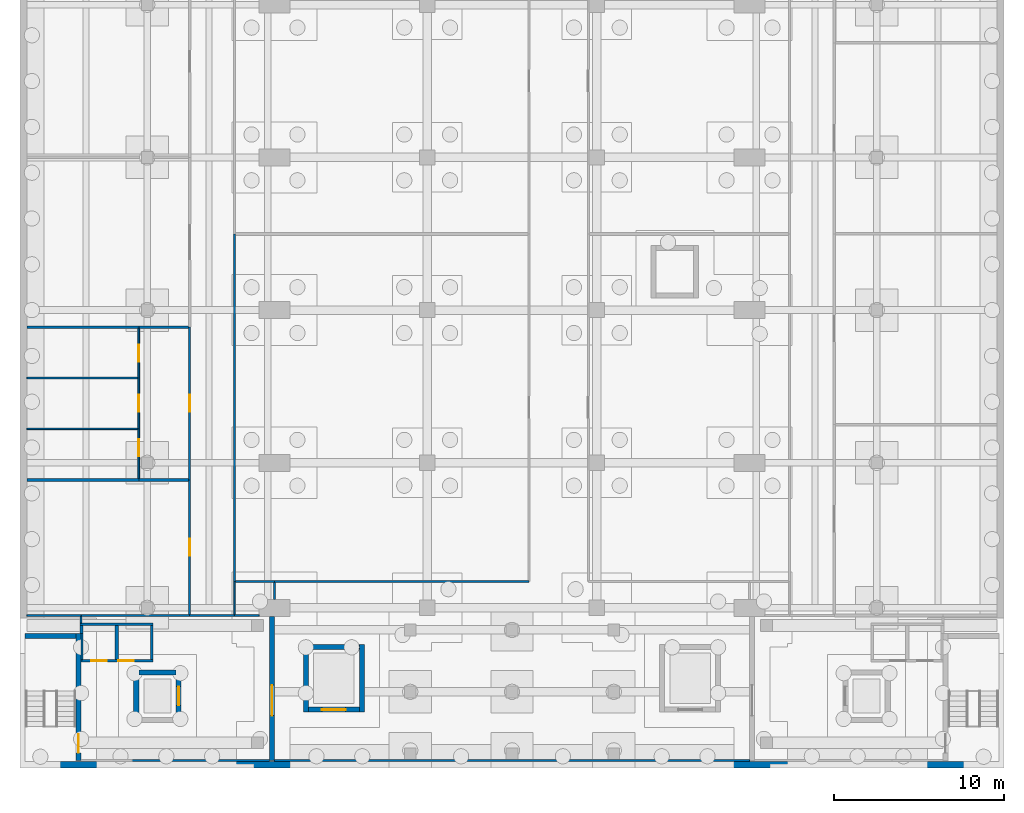
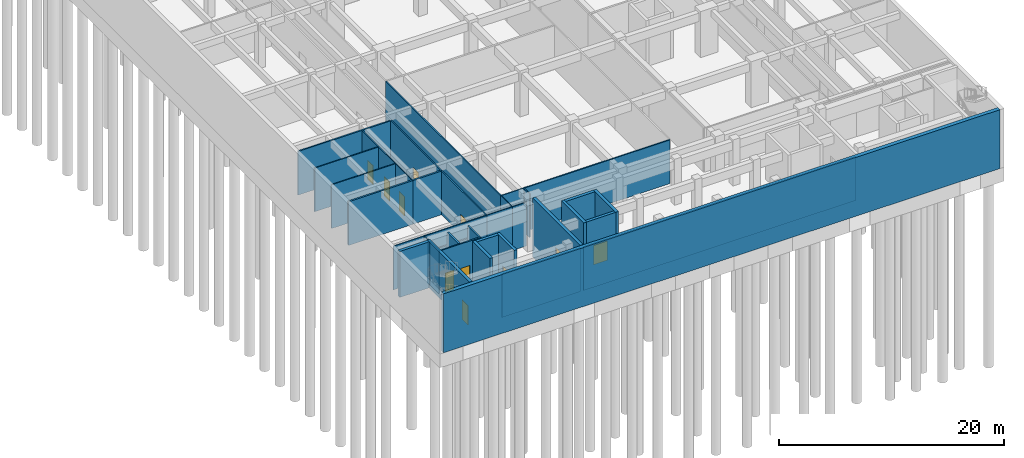
# One storey, part 8 of 19: 40 walls, 11 doors, 11 openings.
"""IFC4 building model written with IfcOpenShell, lengths in metres."""

from ifc_helpers import new_model, si_unit, direction, frame, frame_2d, origin, place, context, subcontext, project, spatial, rectangle, extrude, material, layer, layer_set, type_object, element, fill, save


model = new_model("IFC4")

# Units and contexts
model_context = context("Model", 3, precision=1e-05, world=origin(), true_north=direction((0.0, 1.0)))
body_context = subcontext(model_context, "Body", "Model", "MODEL_VIEW")
ifc_project = project(units=[si_unit("LENGTHUNIT", "METRE"), si_unit("AREAUNIT", "SQUARE_METRE"), si_unit("VOLUMEUNIT", "CUBIC_METRE"), si_unit("PLANEANGLEUNIT", "RADIAN"), si_unit("MASSUNIT", "GRAM", prefix="KILO")], contexts=[model_context])

# Site, building, storey
site_placement = place(None, origin())
site = spatial("IfcSite", under=ifc_project, at=site_placement, CompositionType="ELEMENT")
building_placement = place(site_placement, origin())
building = spatial("IfcBuilding", under=site, at=building_placement, Name="Elmora Arch Market Hall", CompositionType="ELEMENT")
storey_placement = place(building_placement, frame((0.0, 0.0, -10.0)))
storey = spatial("IfcBuildingStorey", under=building, at=storey_placement, Name="B1", CompositionType="ELEMENT", Elevation=-10.0)

# Walls
ifc_material_1 = material(Name="Concrete C40/50", Category="concrete")
ifc_layer_1 = layer(ifc_material_1, 0.39990234375)
ifc_layer_set_1 = layer_set([ifc_layer_1], Name="Concrete C40/50")
wall_type_1 = type_object("IfcWallType", Name="Basement wall 400", PredefinedType="SOLIDWALL", material=ifc_layer_set_1)
wall_1_placement = place(storey_placement, frame((0.39990234375, 18.199951171875, -1.39990234375), z_axis=(0.0, 0.0, 1.0), x_axis=(1.0, 0.0, 0.0)))
element("IfcWall", 1, at=wall_1_placement, inside=storey, type_object=wall_type_1, Name="Basement wall S B1", PredefinedType="SOLIDWALL", context=body_context, shape_type="SweptSolid", body=[
    extrude(rectangle(XDim=57.2001953125, YDim=0.39990234375, at=frame_2d((28.60009765625, 0.0))), origin(), (0.0, 0.0, 1.0), 6.39990234375),
])
ifc_material_2 = material(Name="Blockwork", Category="masonry")
ifc_layer_2 = layer(ifc_material_2, 0.10009765625)
ifc_layer_set_2 = layer_set([ifc_layer_2], Name="Blockwork")
wall_type_2 = type_object("IfcWallType", Name="Blockwork partition 100 EI 120", PredefinedType="PARTITIONING", material=ifc_layer_set_2)
wall_2_placement = place(storey_placement, frame((3.64990234375, 24.39990234375, 0.0), z_axis=(0.0, 0.0, 1.0), x_axis=(0.0, 1.0, 0.0)))
element("IfcWall", 2, at=wall_2_placement, inside=storey, type_object=wall_type_2, Name="Riser wall B1 04", PredefinedType="PARTITIONING", context=body_context, shape_type="SweptSolid", body=[
    extrude(rectangle(XDim=1.550048828125, YDim=0.10009765625, at=frame_2d((0.77490234375, 0.0))), origin(), (0.0, 0.0, 1.0), 4.75),
])
ifc_material_3 = material(Name="Blockwork", Category="masonry")
ifc_layer_3 = layer(ifc_material_3, 0.14990234375)
ifc_layer_set_3 = layer_set([ifc_layer_3], Name="Blockwork")
wall_type_3 = type_object("IfcWallType", Name="Blockwork partition 150 EI 120", PredefinedType="PARTITIONING", material=ifc_layer_set_3)
wall_3_placement = place(storey_placement, frame((3.625, 25.949951171875, 0.0), z_axis=(0.0, 0.0, 1.0), x_axis=(0.0, 1.0, 0.0)))
element("IfcWall", 3, at=wall_3_placement, inside=storey, type_object=wall_type_3, Name="Riser wall B1 01", PredefinedType="PARTITIONING", context=body_context, shape_type="SweptSolid", body=[
    extrude(rectangle(XDim=0.449951171875, YDim=0.14990234375, at=frame_2d((0.22509765625, 0.0))), origin(), (0.0, 0.0, 1.0), 4.75),
])
wall_4_placement = place(storey_placement, frame((3.550048828125, 26.47509765625, 0.0), z_axis=(0.0, 0.0, 1.0), x_axis=(1.0, 0.0, 0.0)))
element("IfcWall", 4, at=wall_4_placement, inside=storey, type_object=wall_type_3, Name="Riser wall B1 02", PredefinedType="PARTITIONING", context=body_context, shape_type="SweptSolid", body=[
    extrude(rectangle(XDim=4.300048828125, YDim=0.14990234375, at=frame_2d((2.14990234375, 0.0))), origin(), (0.0, 0.0, 1.0), 3.35009765625),
])

# Wall, openings, doors
wall_5_placement = place(storey_placement, frame((3.60009765625, 24.324951171875, 0.0), z_axis=(0.0, 0.0, 1.0), x_axis=(1.0, 0.0, 0.0)))
wall_5 = element("IfcWall", 5, at=wall_5_placement, inside=storey, type_object=wall_type_3, Name="Riser wall B1 03", PredefinedType="PARTITIONING", context=body_context, shape_type="SweptSolid", body=[
    extrude(rectangle(XDim=4.25, YDim=0.14990234375, at=frame_2d((2.125, 0.0))), origin(), (0.0, 0.0, 1.0), 4.75),
])
opening_1_placement = place(wall_5_placement, frame((0.60009765625, 0.0, 0.0)))
opening_1 = element("IfcOpeningElement", 6, at=opening_1_placement, cuts=wall_5, Name="Opening D-B1-003", PredefinedType="OPENING", context=body_context, shape_type="SweptSolid", body=[
    extrude(rectangle(XDim=0.89990234375, YDim=2.10009765625, at=frame_2d((0.449951171875, 1.050048828125))), frame((0.0, 0.0849609375, 0.0), z_axis=(0.0, -1.0, 0.0), x_axis=(1.0, 0.0, 0.0)), (0.0, 0.0, 1.0), 0.169921875),
])
opening_2_placement = place(wall_5_placement, frame((2.199951171875, 0.0, 0.0)))
opening_2 = element("IfcOpeningElement", 7, at=opening_2_placement, cuts=wall_5, Name="Opening D-B1-004", PredefinedType="OPENING", context=body_context, shape_type="SweptSolid", body=[
    extrude(rectangle(XDim=0.89990234375, YDim=2.10009765625, at=frame_2d((0.449951171875, 1.050048828125))), frame((0.0, 0.0849609375, 0.0), z_axis=(0.0, -1.0, 0.0), x_axis=(1.0, 0.0, 0.0)), (0.0, 0.0, 1.0), 0.169921875),
])
ifc_material_4 = material(Name="Steel ASTM A653 galvanised", Category="steel")
door_type_1 = type_object("IfcDoorType", Name="Door 900 x 2100 FD90", OperationType="SINGLE_SWING_LEFT", PredefinedType="DOOR", material=ifc_material_4)
door_1_placement = place(opening_1_placement, origin())
door_1 = element("IfcDoor", 8, at=door_1_placement, inside=storey, type_object=door_type_1, Name="Riser access door D-B1-003", OperationType="SINGLE_SWING_LEFT", OverallHeight=2.10009765625, OverallWidth=0.89990234375, PredefinedType="DOOR", context=body_context, shape_type="SweptSolid", body=[
    extrude(rectangle(XDim=0.89990234375, YDim=2.10009765625, at=frame_2d((0.449951171875, 1.050048828125))), frame((0.0, 0.02490234375, 0.0), z_axis=(0.0, -1.0, 0.0), x_axis=(1.0, 0.0, 0.0)), (0.0, 0.0, 1.0), 0.050048828125),
])
fill(opening_1, door_1)
door_2_placement = place(opening_2_placement, origin())
door_2 = element("IfcDoor", 9, at=door_2_placement, inside=storey, type_object=door_type_1, Name="Riser access door D-B1-004", OperationType="SINGLE_SWING_LEFT", OverallHeight=2.10009765625, OverallWidth=0.89990234375, PredefinedType="DOOR", context=body_context, shape_type="SweptSolid", body=[
    extrude(rectangle(XDim=0.89990234375, YDim=2.10009765625, at=frame_2d((0.449951171875, 1.050048828125))), frame((0.0, 0.02490234375, 0.0), z_axis=(0.0, -1.0, 0.0), x_axis=(1.0, 0.0, 0.0)), (0.0, 0.0, 1.0), 0.050048828125),
])
fill(opening_2, door_2)

# Walls
wall_6_placement = place(storey_placement, frame((7.77490234375, 24.39990234375, 0.0), z_axis=(0.0, 0.0, 1.0), x_axis=(0.0, 1.0, 0.0)))
element("IfcWall", 10, at=wall_6_placement, inside=storey, type_object=wall_type_3, Name="Riser wall B1 06", PredefinedType="PARTITIONING", context=body_context, shape_type="SweptSolid", body=[
    extrude(rectangle(XDim=2.0, YDim=0.14990234375, at=frame_2d((1.0, 0.0))), origin(), (0.0, 0.0, 1.0), 4.75),
])
wall_7_placement = place(storey_placement, frame((0.39990234375, 44.0, 0.0), z_axis=(0.0, 0.0, 1.0), x_axis=(1.0, 0.0, 0.0)))
element("IfcWall", 11, at=wall_7_placement, inside=storey, type_object=wall_type_3, Name="Partition PT-B1-023", PredefinedType="PARTITIONING", context=body_context, shape_type="SweptSolid", body=[
    extrude(rectangle(XDim=6.60009765625, YDim=0.14990234375, at=frame_2d((3.300048828125, 0.0))), origin(), (0.0, 0.0, 1.0), 4.75),
])
wall_8_placement = place(storey_placement, frame((7.0, 44.0, 0.0), z_axis=(0.0, 0.0, 1.0), x_axis=(1.0, 0.0, 0.0)))
element("IfcWall", 12, at=wall_8_placement, inside=storey, type_object=wall_type_3, Name="Partition PT-B1-024", PredefinedType="PARTITIONING", context=body_context, shape_type="SweptSolid", body=[
    extrude(rectangle(XDim=2.925048828125, YDim=0.14990234375, at=frame_2d((1.46240234375, 0.0))), origin(), (0.0, 0.0, 1.0), 4.75),
])
ifc_material_5 = material(Name="Blockwork", Category="masonry")
ifc_layer_4 = layer(ifc_material_5, 0.199951171875)
ifc_layer_set_4 = layer_set([ifc_layer_4], Name="Blockwork")
wall_type_4 = type_object("IfcWallType", Name="Blockwork partition 200 EI 120", PredefinedType="PARTITIONING", material=ifc_layer_set_4)
wall_9_placement = place(storey_placement, frame((5.699951171875, 24.39990234375, 0.0), z_axis=(0.0, 0.0, 1.0), x_axis=(0.0, 1.0, 0.0)))
element("IfcWall", 13, at=wall_9_placement, inside=storey, type_object=wall_type_4, Name="Riser wall B1 05", PredefinedType="PARTITIONING", context=body_context, shape_type="SweptSolid", body=[
    extrude(rectangle(XDim=2.0, YDim=0.199951171875, at=frame_2d((1.0, 0.0))), origin(), (0.0, 0.0, 1.0), 4.75),
])

# Wall, opening, door
ifc_material_6 = material(Name="Concrete C40/50", Category="concrete")
ifc_layer_5 = layer(ifc_material_6, 0.300048828125)
ifc_layer_set_5 = layer_set([ifc_layer_5], Name="Concrete C40/50")
wall_type_5 = type_object("IfcWallType", Name="Dock wall 300", PredefinedType="SOLIDWALL", material=ifc_layer_set_5)
wall_10_placement = place(storey_placement, frame((14.85009765625, 18.449951171875, -1.39990234375), z_axis=(0.0, 0.0, 1.0), x_axis=(0.0, 1.0, 0.0)))
wall_10 = element("IfcWall", 14, at=wall_10_placement, inside=storey, type_object=wall_type_5, Name="Dock wall W B1", PredefinedType="SOLIDWALL", context=body_context, shape_type="SweptSolid", body=[
    extrude(rectangle(XDim=8.5, YDim=0.300048828125, at=frame_2d((4.25, 0.0))), origin(), (0.0, 0.0, 1.0), 6.39990234375),
])
opening_3_placement = place(wall_10_placement, frame((2.64990234375, 0.0, 1.39990234375)))
opening_3 = element("IfcOpeningElement", 15, at=opening_3_placement, cuts=wall_10, Name="Opening D-B1-001", PredefinedType="OPENING", context=body_context, shape_type="SweptSolid", body=[
    extrude(rectangle(XDim=1.800048828125, YDim=2.10009765625, at=frame_2d((0.89990234375, 1.050048828125))), frame((0.0, 0.159912109375, 0.0), z_axis=(0.0, -1.0, 0.0), x_axis=(1.0, 0.0, 0.0)), (0.0, 0.0, 1.0), 0.320068359375),
])
ifc_material_7 = material(Name="Steel ASTM A653 galvanised", Category="steel")
door_type_2 = type_object("IfcDoorType", Name="Double door 1800 x 2100", OperationType="DOUBLE_DOOR_SINGLE_SWING", PredefinedType="DOOR", material=ifc_material_7)
door_3_placement = place(opening_3_placement, origin())
door_3 = element("IfcDoor", 16, at=door_3_placement, inside=storey, type_object=door_type_2, Name="D-B1-001", OperationType="DOUBLE_DOOR_SINGLE_SWING", OverallHeight=2.10009765625, OverallWidth=1.800048828125, PredefinedType="DOOR", context=body_context, shape_type="SweptSolid", body=[
    extrude(rectangle(XDim=1.800048828125, YDim=2.10009765625, at=frame_2d((0.89990234375, 1.050048828125))), frame((0.0, 0.02490234375, 0.0), z_axis=(0.0, -1.0, 0.0), x_axis=(1.0, 0.0, 0.0)), (0.0, 0.0, 1.0), 0.050048828125),
])
fill(opening_3, door_3)

# Wall
ifc_material_8 = material(Name="Concrete C40/50", Category="concrete")
ifc_layer_6 = layer(ifc_material_8, 0.300048828125)
ifc_layer_set_6 = layer_set([ifc_layer_6], Name="Concrete C40/50")
wall_type_6 = type_object("IfcWallType", Name="Lift shaft wall 300", PredefinedType="SHEAR", material=ifc_layer_set_6)
wall_11_placement = place(storey_placement, frame((6.85009765625, 20.699951171875, -1.39990234375), z_axis=(0.0, 0.0, 1.0), x_axis=(0.0, 1.0, 0.0)))
element("IfcWall", 17, at=wall_11_placement, inside=storey, type_object=wall_type_6, Name="Lift shaft wall WL1 W B1", PredefinedType="SHEAR", context=body_context, shape_type="SweptSolid", body=[
    extrude(rectangle(XDim=3.10009765625, YDim=0.300048828125, at=frame_2d((1.550048828125, 0.0))), origin(), (0.0, 0.0, 1.0), 6.39990234375),
])

# Wall, opening, door
wall_12_placement = place(storey_placement, frame((9.35009765625, 20.699951171875, -1.39990234375), z_axis=(0.0, 0.0, 1.0), x_axis=(0.0, 1.0, 0.0)))
wall_12 = element("IfcWall", 18, at=wall_12_placement, inside=storey, type_object=wall_type_6, Name="Lift shaft wall WL1 E B1", PredefinedType="SHEAR", context=body_context, shape_type="SweptSolid", body=[
    extrude(rectangle(XDim=3.10009765625, YDim=0.300048828125, at=frame_2d((1.550048828125, 0.0))), origin(), (0.0, 0.0, 1.0), 6.39990234375),
])
opening_4_placement = place(wall_12_placement, frame((1.0, 0.0, 1.39990234375)))
opening_4 = element("IfcOpeningElement", 19, at=opening_4_placement, cuts=wall_12, Name="Opening LD-WL1-B1", PredefinedType="OPENING", context=body_context, shape_type="SweptSolid", body=[
    extrude(rectangle(XDim=1.10009765625, YDim=2.10009765625, at=frame_2d((0.550048828125, 1.050048828125))), frame((0.0, 0.159912109375, 0.0), z_axis=(0.0, -1.0, 0.0), x_axis=(1.0, 0.0, 0.0)), (0.0, 0.0, 1.0), 0.320068359375),
])
ifc_material_9 = material(Name="Stainless steel ASTM A240 Type 304", Category="steel")
door_type_3 = type_object("IfcDoorType", Name="Lift landing door 1100 x 2100 FD90", OperationType="SLIDING_TO_LEFT", PredefinedType="DOOR", material=ifc_material_9)
door_4_placement = place(opening_4_placement, origin())
door_4 = element("IfcDoor", 20, at=door_4_placement, inside=storey, type_object=door_type_3, Name="Landing door WL1 B1", OperationType="SLIDING_TO_LEFT", OverallHeight=2.10009765625, OverallWidth=1.10009765625, PredefinedType="DOOR", context=body_context, shape_type="SweptSolid", body=[
    extrude(rectangle(XDim=1.10009765625, YDim=2.10009765625, at=frame_2d((0.550048828125, 1.050048828125))), frame((0.0, 0.02490234375, 0.0), z_axis=(0.0, -1.0, 0.0), x_axis=(1.0, 0.0, 0.0)), (0.0, 0.0, 1.0), 0.050048828125),
])
fill(opening_4, door_4)

# Walls
wall_13_placement = place(storey_placement, frame((7.0, 23.64990234375, -1.39990234375), z_axis=(0.0, 0.0, 1.0), x_axis=(1.0, 0.0, 0.0)))
element("IfcWall", 21, at=wall_13_placement, inside=storey, type_object=wall_type_6, Name="Lift shaft wall WL1 N B1", PredefinedType="SHEAR", context=body_context, shape_type="SweptSolid", body=[
    extrude(rectangle(XDim=2.199951171875, YDim=0.300048828125, at=frame_2d((1.10009765625, 0.0))), origin(), (0.0, 0.0, 1.0), 6.39990234375),
])
for number, where, z_axis, x_axis, name in (
    (22, (16.85009765625, 21.300048828125, -1.39990234375), (0.0, 0.0, 1.0), (0.0, 1.0, 0.0), "Lift shaft wall GL1 W B1"),
    (23, (20.14990234375, 21.300048828125, -1.39990234375), (0.0, 0.0, 1.0), (0.0, 1.0, 0.0), "Lift shaft wall GL1 E B1"),
):
    element("IfcWall", number, at=place(storey_placement, frame(where, z_axis=z_axis, x_axis=x_axis)), inside=storey, type_object=wall_type_6, Name=name, PredefinedType="SHEAR", context=body_context, shape_type="SweptSolid", body=[
        extrude(rectangle(XDim=4.0, YDim=0.300048828125, at=frame_2d((2.0, 0.0))), origin(), (0.0, 0.0, 1.0), 6.39990234375),
    ])

# Wall, opening, door
wall_14_placement = place(storey_placement, frame((17.0, 21.449951171875, -1.39990234375), z_axis=(0.0, 0.0, 1.0), x_axis=(1.0, 0.0, 0.0)))
wall_14 = element("IfcWall", 24, at=wall_14_placement, inside=storey, type_object=wall_type_6, Name="Lift shaft wall GL1 S B1", PredefinedType="SHEAR", context=body_context, shape_type="SweptSolid", body=[
    extrude(rectangle(XDim=3.0, YDim=0.300048828125, at=frame_2d((1.5, 0.0))), origin(), (0.0, 0.0, 1.0), 6.39990234375),
])
opening_5_placement = place(wall_14_placement, frame((0.800048828125, 0.0, 1.39990234375)))
opening_5 = element("IfcOpeningElement", 25, at=opening_5_placement, cuts=wall_14, Name="Opening LD-GL1-B1", PredefinedType="OPENING", context=body_context, shape_type="SweptSolid", body=[
    extrude(rectangle(XDim=1.39990234375, YDim=2.10009765625, at=frame_2d((0.699951171875, 1.050048828125))), frame((0.0, 0.159912109375, 0.0), z_axis=(0.0, -1.0, 0.0), x_axis=(1.0, 0.0, 0.0)), (0.0, 0.0, 1.0), 0.320068359375),
])
ifc_material_10 = material(Name="Stainless steel ASTM A240 Type 304", Category="steel")
door_type_4 = type_object("IfcDoorType", Name="Lift landing door 1400 x 2100 FD90", OperationType="DOUBLE_DOOR_SLIDING", PredefinedType="DOOR", material=ifc_material_10)
door_5_placement = place(opening_5_placement, origin())
door_5 = element("IfcDoor", 26, at=door_5_placement, inside=storey, type_object=door_type_4, Name="Landing door GL1 B1", OperationType="DOUBLE_DOOR_SLIDING", OverallHeight=2.10009765625, OverallWidth=1.39990234375, PredefinedType="DOOR", context=body_context, shape_type="SweptSolid", body=[
    extrude(rectangle(XDim=1.39990234375, YDim=2.10009765625, at=frame_2d((0.699951171875, 1.050048828125))), frame((0.0, 0.02490234375, 0.0), z_axis=(0.0, -1.0, 0.0), x_axis=(1.0, 0.0, 0.0)), (0.0, 0.0, 1.0), 0.050048828125),
])
fill(opening_5, door_5)

# Walls
wall_15_placement = place(storey_placement, frame((17.0, 25.14990234375, -1.39990234375), z_axis=(0.0, 0.0, 1.0), x_axis=(1.0, 0.0, 0.0)))
element("IfcWall", 27, at=wall_15_placement, inside=storey, type_object=wall_type_6, Name="Lift shaft wall GL1 N B1", PredefinedType="SHEAR", context=body_context, shape_type="SweptSolid", body=[
    extrude(rectangle(XDim=3.0, YDim=0.300048828125, at=frame_2d((1.5, 0.0))), origin(), (0.0, 0.0, 1.0), 6.39990234375),
])
ifc_material_11 = material(Name="Gypsum board on metal studs")
ifc_layer_7 = layer(ifc_material_11, 0.10009765625)
ifc_layer_set_7 = layer_set([ifc_layer_7], Name="Gypsum board on metal studs")
wall_type_7 = type_object("IfcWallType", Name="Partition 100", PredefinedType="PARTITIONING", material=ifc_layer_set_7)
wall_16_placement = place(storey_placement, frame((6.610107421875, 18.449951171875, 0.0), z_axis=(0.0, 0.0, 1.0), x_axis=(1.0, 0.0, 0.0)))
element("IfcWall", 28, at=wall_16_placement, inside=storey, type_object=wall_type_7, Name="Partition PT-B1-002", PredefinedType="PARTITIONING", context=body_context, shape_type="SweptSolid", body=[
    extrude(rectangle(XDim=8.08984375, YDim=0.10009765625, at=frame_2d((4.044921875, 0.0))), origin(), (0.0, 0.0, 1.0), 4.75),
])
wall_17_placement = place(storey_placement, frame((15.0, 18.449951171875, 0.0), z_axis=(0.0, 0.0, 1.0), x_axis=(1.0, 0.0, 0.0)))
element("IfcWall", 29, at=wall_17_placement, inside=storey, type_object=wall_type_7, Name="Partition PT-B1-003", PredefinedType="PARTITIONING", context=body_context, shape_type="SweptSolid", body=[
    extrude(rectangle(XDim=28.0, YDim=0.10009765625, at=frame_2d((14.0, 0.0))), origin(), (0.0, 0.0, 1.0), 4.75),
])
wall_18_placement = place(storey_placement, frame((0.39990234375, 27.0, 0.0), z_axis=(0.0, 0.0, 1.0), x_axis=(1.0, 0.0, 0.0)))
element("IfcWall", 30, at=wall_18_placement, inside=storey, type_object=wall_type_7, Name="Partition PT-B1-006", PredefinedType="PARTITIONING", context=body_context, shape_type="SweptSolid", body=[
    extrude(rectangle(XDim=3.2001953125, YDim=0.10009765625, at=frame_2d((1.60009765625, 0.0))), origin(), (0.0, 0.0, 1.0), 4.75),
])
wall_19_placement = place(storey_placement, frame((10.0, 27.0, 0.0), z_axis=(0.0, 0.0, 1.0), x_axis=(1.0, 0.0, 0.0)))
element("IfcWall", 31, at=wall_19_placement, inside=storey, type_object=wall_type_7, Name="Partition PT-B1-008", PredefinedType="PARTITIONING", context=body_context, shape_type="SweptSolid", body=[
    extrude(rectangle(XDim=2.64990234375, YDim=0.10009765625, at=frame_2d((1.324951171875, 0.0))), origin(), (0.0, 0.0, 1.0), 4.75),
])
wall_20_placement = place(storey_placement, frame((12.64990234375, 27.0, 0.0), z_axis=(0.0, 0.0, 1.0), x_axis=(1.0, 0.0, 0.0)))
element("IfcWall", 32, at=wall_20_placement, inside=storey, type_object=wall_type_7, Name="Partition PT-B1-009", PredefinedType="PARTITIONING", context=body_context, shape_type="SweptSolid", body=[
    extrude(rectangle(XDim=1.4501953125, YDim=0.10009765625, at=frame_2d((0.72509765625, 0.0))), origin(), (0.0, 0.0, 1.0), 4.75),
])
wall_21_placement = place(storey_placement, frame((12.71240234375, 29.0, 0.0), z_axis=(0.0, 0.0, 1.0), x_axis=(1.0, 0.0, 0.0)))
element("IfcWall", 33, at=wall_21_placement, inside=storey, type_object=wall_type_7, Name="Partition PT-B1-014", PredefinedType="PARTITIONING", context=body_context, shape_type="SweptSolid", body=[
    extrude(rectangle(XDim=2.28759765625, YDim=0.10009765625, at=frame_2d((1.143798828125, 0.0))), origin(), (0.0, 0.0, 1.0), 4.75),
])
for number, where, z_axis, x_axis, name in (
    (34, (0.39990234375, 38.0, 0.0), (0.0, 0.0, 1.0), (1.0, 0.0, 0.0), "Partition PT-B1-020"),
    (35, (0.39990234375, 41.0, 0.0), (0.0, 0.0, 1.0), (1.0, 0.0, 0.0), "Partition PT-B1-022"),
):
    element("IfcWall", number, at=place(storey_placement, frame(where, z_axis=z_axis, x_axis=x_axis)), inside=storey, type_object=wall_type_7, Name=name, PredefinedType="PARTITIONING", context=body_context, shape_type="SweptSolid", body=[
        extrude(rectangle(XDim=6.550048828125, YDim=0.10009765625, at=frame_2d((3.27490234375, 0.0))), origin(), (0.0, 0.0, 1.0), 4.75),
    ])
wall_22_placement = place(storey_placement, frame((3.60009765625, 26.550048828125, 0.0), z_axis=(0.0, 0.0, 1.0), x_axis=(0.0, 1.0, 0.0)))
element("IfcWall", 36, at=wall_22_placement, inside=storey, type_object=wall_type_7, Name="Partition PT-B1-063", PredefinedType="PARTITIONING", context=body_context, shape_type="SweptSolid", body=[
    extrude(rectangle(XDim=0.387451171875, YDim=0.10009765625, at=frame_2d((0.19384765625, 0.0))), origin(), (0.0, 0.0, 1.0), 4.75),
])

# Wall, opening, door
wall_23_placement = place(storey_placement, frame((7.0, 35.08740234375, 0.0), z_axis=(0.0, 0.0, 1.0), x_axis=(0.0, 1.0, 0.0)))
wall_23 = element("IfcWall", 37, at=wall_23_placement, inside=storey, type_object=wall_type_7, Name="Partition PT-B1-064", PredefinedType="PARTITIONING", context=body_context, shape_type="SweptSolid", body=[
    extrude(rectangle(XDim=2.91259765625, YDim=0.10009765625, at=frame_2d((1.456298828125, 0.0))), origin(), (0.0, 0.0, 1.0), 4.75),
])
opening_6_placement = place(wall_23_placement, frame((1.300048828125, 0.0, 0.0)))
opening_6 = element("IfcOpeningElement", 38, at=opening_6_placement, cuts=wall_23, Name="Opening D-B1-009", PredefinedType="OPENING", context=body_context, shape_type="SweptSolid", body=[
    extrude(rectangle(XDim=1.0, YDim=2.10009765625, at=frame_2d((0.5, 1.050048828125))), frame((0.0, 0.06005859375, 0.0), z_axis=(0.0, -1.0, 0.0), x_axis=(1.0, 0.0, 0.0)), (0.0, 0.0, 1.0), 0.1201171875),
])
ifc_material_12 = material(Name="Timber door set", Category="wood")
door_type_5 = type_object("IfcDoorType", Name="Door 1000 x 2100", OperationType="SINGLE_SWING_LEFT", PredefinedType="DOOR", material=ifc_material_12)
door_6_placement = place(opening_6_placement, origin())
door_6 = element("IfcDoor", 39, at=door_6_placement, inside=storey, type_object=door_type_5, Name="D-B1-009", OperationType="SINGLE_SWING_RIGHT", OverallHeight=2.10009765625, OverallWidth=1.0, PredefinedType="DOOR", context=body_context, shape_type="SweptSolid", body=[
    extrude(rectangle(XDim=1.0, YDim=2.10009765625, at=frame_2d((0.5, 1.050048828125))), frame((0.0, 0.02490234375, 0.0), z_axis=(0.0, -1.0, 0.0), x_axis=(1.0, 0.0, 0.0)), (0.0, 0.0, 1.0), 0.050048828125),
])
fill(opening_6, door_6)

wall_24_placement = place(storey_placement, frame((7.0, 38.0, 0.0), z_axis=(0.0, 0.0, 1.0), x_axis=(0.0, 1.0, 0.0)))
wall_24 = element("IfcWall", 40, at=wall_24_placement, inside=storey, type_object=wall_type_7, Name="Partition PT-B1-065", PredefinedType="PARTITIONING", context=body_context, shape_type="SweptSolid", body=[
    extrude(rectangle(XDim=3.0, YDim=0.10009765625, at=frame_2d((1.5, 0.0))), origin(), (0.0, 0.0, 1.0), 4.75),
])
opening_7_placement = place(wall_24_placement, frame((1.0, 0.0, 0.0)))
opening_7 = element("IfcOpeningElement", 41, at=opening_7_placement, cuts=wall_24, Name="Opening D-B1-012", PredefinedType="OPENING", context=body_context, shape_type="SweptSolid", body=[
    extrude(rectangle(XDim=1.0, YDim=2.10009765625, at=frame_2d((0.5, 1.050048828125))), frame((0.0, 0.06005859375, 0.0), z_axis=(0.0, -1.0, 0.0), x_axis=(1.0, 0.0, 0.0)), (0.0, 0.0, 1.0), 0.1201171875),
])
door_7_placement = place(opening_7_placement, origin())
door_7 = element("IfcDoor", 42, at=door_7_placement, inside=storey, type_object=door_type_5, Name="D-B1-012", OperationType="SINGLE_SWING_LEFT", OverallHeight=2.10009765625, OverallWidth=1.0, PredefinedType="DOOR", context=body_context, shape_type="SweptSolid", body=[
    extrude(rectangle(XDim=1.0, YDim=2.10009765625, at=frame_2d((0.5, 1.050048828125))), frame((0.0, 0.02490234375, 0.0), z_axis=(0.0, -1.0, 0.0), x_axis=(1.0, 0.0, 0.0)), (0.0, 0.0, 1.0), 0.050048828125),
])
fill(opening_7, door_7)

wall_25_placement = place(storey_placement, frame((7.0, 41.0, 0.0), z_axis=(0.0, 0.0, 1.0), x_axis=(0.0, 1.0, 0.0)))
wall_25 = element("IfcWall", 43, at=wall_25_placement, inside=storey, type_object=wall_type_7, Name="Partition PT-B1-066", PredefinedType="PARTITIONING", context=body_context, shape_type="SweptSolid", body=[
    extrude(rectangle(XDim=2.925048828125, YDim=0.10009765625, at=frame_2d((1.46240234375, 0.0))), origin(), (0.0, 0.0, 1.0), 4.75),
])
opening_8_placement = place(wall_25_placement, frame((0.949951171875, 0.0, 0.0)))
opening_8 = element("IfcOpeningElement", 44, at=opening_8_placement, cuts=wall_25, Name="Opening D-B1-014", PredefinedType="OPENING", context=body_context, shape_type="SweptSolid", body=[
    extrude(rectangle(XDim=1.0, YDim=2.10009765625, at=frame_2d((0.5, 1.050048828125))), frame((0.0, 0.06005859375, 0.0), z_axis=(0.0, -1.0, 0.0), x_axis=(1.0, 0.0, 0.0)), (0.0, 0.0, 1.0), 0.1201171875),
])
door_8_placement = place(opening_8_placement, origin())
door_8 = element("IfcDoor", 45, at=door_8_placement, inside=storey, type_object=door_type_5, Name="D-B1-014", OperationType="SINGLE_SWING_LEFT", OverallHeight=2.10009765625, OverallWidth=1.0, PredefinedType="DOOR", context=body_context, shape_type="SweptSolid", body=[
    extrude(rectangle(XDim=1.0, YDim=2.10009765625, at=frame_2d((0.5, 1.050048828125))), frame((0.0, 0.02490234375, 0.0), z_axis=(0.0, -1.0, 0.0), x_axis=(1.0, 0.0, 0.0)), (0.0, 0.0, 1.0), 0.050048828125),
])
fill(opening_8, door_8)

# Walls
wall_26_placement = place(storey_placement, frame((12.64990234375, 27.050048828125, 0.0), z_axis=(0.0, 0.0, 1.0), x_axis=(0.0, 1.0, 0.0)))
element("IfcWall", 46, at=wall_26_placement, inside=storey, type_object=wall_type_7, Name="Partition PT-B1-076", PredefinedType="PARTITIONING", context=body_context, shape_type="SweptSolid", body=[
    extrude(rectangle(XDim=1.949951171875, YDim=0.10009765625, at=frame_2d((0.97509765625, 0.0))), origin(), (0.0, 0.0, 1.0), 4.75),
])
wall_27_placement = place(storey_placement, frame((15.0, 27.949951171875, 0.0), z_axis=(0.0, 0.0, 1.0), x_axis=(0.0, 1.0, 0.0)))
element("IfcWall", 47, at=wall_27_placement, inside=storey, type_object=wall_type_7, Name="Partition PT-B1-082", PredefinedType="PARTITIONING", context=body_context, shape_type="SweptSolid", body=[
    extrude(rectangle(XDim=0.987548828125, YDim=0.10009765625, at=frame_2d((0.49365234375, 0.0))), origin(), (0.0, 0.0, 1.0), 4.75),
])
ifc_material_13 = material(Name="Gypsum board on metal studs")
ifc_layer_8 = layer(ifc_material_13, 0.125)
ifc_layer_set_8 = layer_set([ifc_layer_8], Name="Gypsum board on metal studs")
wall_type_8 = type_object("IfcWallType", Name="Partition 125 EI 60", PredefinedType="PARTITIONING", material=ifc_layer_set_8)
wall_28_placement = place(storey_placement, frame((3.60009765625, 27.0, 0.0), z_axis=(0.0, 0.0, 1.0), x_axis=(1.0, 0.0, 0.0)))
element("IfcWall", 48, at=wall_28_placement, inside=storey, type_object=wall_type_8, Name="Partition PT-B1-007", PredefinedType="PARTITIONING", context=body_context, shape_type="SweptSolid", body=[
    extrude(rectangle(XDim=6.39990234375, YDim=0.125, at=frame_2d((3.199951171875, 0.0))), origin(), (0.0, 0.0, 1.0), 4.75),
])
wall_29_placement = place(storey_placement, frame((15.0, 29.0, 0.0), z_axis=(0.0, 0.0, 1.0), x_axis=(1.0, 0.0, 0.0)))
element("IfcWall", 49, at=wall_29_placement, inside=storey, type_object=wall_type_8, Name="Partition PT-B1-015", PredefinedType="PARTITIONING", context=body_context, shape_type="SweptSolid", body=[
    extrude(rectangle(XDim=14.989990234375, YDim=0.125, at=frame_2d((7.4951171875, 0.0))), origin(), (0.0, 0.0, 1.0), 4.75),
])

# Wall, opening, door
wall_30_placement = place(storey_placement, frame((10.0, 27.0625, 0.0), z_axis=(0.0, 0.0, 1.0), x_axis=(0.0, 1.0, 0.0)))
wall_30 = element("IfcWall", 50, at=wall_30_placement, inside=storey, type_object=wall_type_8, Name="Partition PT-B1-068", PredefinedType="PARTITIONING", context=body_context, shape_type="SweptSolid", body=[
    extrude(rectangle(XDim=7.9375, YDim=0.125, at=frame_2d((3.96875, 0.0))), origin(), (0.0, 0.0, 1.0), 4.75),
])
opening_9_placement = place(wall_30_placement, frame((3.449951171875, 0.0, 0.0)))
opening_9 = element("IfcOpeningElement", 51, at=opening_9_placement, cuts=wall_30, Name="Opening D-B1-007", PredefinedType="OPENING", context=body_context, shape_type="SweptSolid", body=[
    extrude(rectangle(XDim=1.0, YDim=2.10009765625, at=frame_2d((0.5, 1.050048828125))), frame((0.0, 0.072509765625, 0.0), z_axis=(0.0, -1.0, 0.0), x_axis=(1.0, 0.0, 0.0)), (0.0, 0.0, 1.0), 0.14501953125),
])
ifc_material_14 = material(Name="Steel ASTM A653 galvanised", Category="steel")
door_type_6 = type_object("IfcDoorType", Name="Door 1000 x 2100 FD45", OperationType="SINGLE_SWING_LEFT", PredefinedType="DOOR", material=ifc_material_14)
door_9_placement = place(opening_9_placement, origin())
door_9 = element("IfcDoor", 52, at=door_9_placement, inside=storey, type_object=door_type_6, Name="D-B1-007", OperationType="SINGLE_SWING_RIGHT", OverallHeight=2.10009765625, OverallWidth=1.0, PredefinedType="DOOR", context=body_context, shape_type="SweptSolid", body=[
    extrude(rectangle(XDim=1.0, YDim=2.10009765625, at=frame_2d((0.5, 1.050048828125))), frame((0.0, 0.02490234375, 0.0), z_axis=(0.0, -1.0, 0.0), x_axis=(1.0, 0.0, 0.0)), (0.0, 0.0, 1.0), 0.050048828125),
])
fill(opening_9, door_9)

wall_31_placement = place(storey_placement, frame((10.0, 35.0, 0.0), z_axis=(0.0, 0.0, 1.0), x_axis=(0.0, 1.0, 0.0)))
wall_31 = element("IfcWall", 53, at=wall_31_placement, inside=storey, type_object=wall_type_8, Name="Partition PT-B1-069", PredefinedType="PARTITIONING", context=body_context, shape_type="SweptSolid", body=[
    extrude(rectangle(XDim=9.0, YDim=0.125, at=frame_2d((4.5, 0.0))), origin(), (0.0, 0.0, 1.0), 4.75),
])
opening_10_placement = place(wall_31_placement, frame((4.0, 0.0, 0.0)))
opening_10 = element("IfcOpeningElement", 54, at=opening_10_placement, cuts=wall_31, Name="Opening D-B1-013", PredefinedType="OPENING", context=body_context, shape_type="SweptSolid", body=[
    extrude(rectangle(XDim=1.0, YDim=2.10009765625, at=frame_2d((0.5, 1.050048828125))), frame((0.0, 0.072509765625, 0.0), z_axis=(0.0, -1.0, 0.0), x_axis=(1.0, 0.0, 0.0)), (0.0, 0.0, 1.0), 0.14501953125),
])
ifc_material_15 = material(Name="Steel ASTM A653 galvanised", Category="steel")
door_type_7 = type_object("IfcDoorType", Name="Door 1000 x 2100 FD20", OperationType="SINGLE_SWING_LEFT", PredefinedType="DOOR", material=ifc_material_15)
door_10_placement = place(opening_10_placement, origin())
door_10 = element("IfcDoor", 55, at=door_10_placement, inside=storey, type_object=door_type_7, Name="D-B1-013", OperationType="SINGLE_SWING_LEFT", OverallHeight=2.10009765625, OverallWidth=1.0, PredefinedType="DOOR", context=body_context, shape_type="SweptSolid", body=[
    extrude(rectangle(XDim=1.0, YDim=2.10009765625, at=frame_2d((0.5, 1.050048828125))), frame((0.0, 0.02490234375, 0.0), z_axis=(0.0, -1.0, 0.0), x_axis=(1.0, 0.0, 0.0)), (0.0, 0.0, 1.0), 0.050048828125),
])
fill(opening_10, door_10)

# Walls
wall_32_placement = place(storey_placement, frame((12.64990234375, 29.0, 0.0), z_axis=(0.0, 0.0, 1.0), x_axis=(0.0, 1.0, 0.0)))
element("IfcWall", 56, at=wall_32_placement, inside=storey, type_object=wall_type_8, Name="Partition PT-B1-077", PredefinedType="PARTITIONING", context=body_context, shape_type="SweptSolid", body=[
    extrude(rectangle(XDim=20.5, YDim=0.125, at=frame_2d((10.25, 0.0))), origin(), (0.0, 0.0, 1.0), 4.75),
])
ifc_material_16 = material(Name="Gypsum board on metal studs")
ifc_layer_9 = layer(ifc_material_16, 0.175048828125)
ifc_layer_set_9 = layer_set([ifc_layer_9], Name="Gypsum board on metal studs")
wall_type_9 = type_object("IfcWallType", Name="Partition 175 EI 60", PredefinedType="PARTITIONING", material=ifc_layer_set_9)
wall_33_placement = place(storey_placement, frame((0.39990234375, 35.0, 0.0), z_axis=(0.0, 0.0, 1.0), x_axis=(1.0, 0.0, 0.0)))
element("IfcWall", 57, at=wall_33_placement, inside=storey, type_object=wall_type_9, Name="Partition PT-B1-018", PredefinedType="PARTITIONING", context=body_context, shape_type="SweptSolid", body=[
    extrude(rectangle(XDim=6.60009765625, YDim=0.175048828125, at=frame_2d((3.300048828125, 0.0))), origin(), (0.0, 0.0, 1.0), 4.75),
])
wall_34_placement = place(storey_placement, frame((7.0, 35.0, 0.0), z_axis=(0.0, 0.0, 1.0), x_axis=(1.0, 0.0, 0.0)))
element("IfcWall", 58, at=wall_34_placement, inside=storey, type_object=wall_type_9, Name="Partition PT-B1-019", PredefinedType="PARTITIONING", context=body_context, shape_type="SweptSolid", body=[
    extrude(rectangle(XDim=2.9375, YDim=0.175048828125, at=frame_2d((1.46875, 0.0))), origin(), (0.0, 0.0, 1.0), 4.75),
])

# Wall, opening, door
ifc_material_17 = material(Name="Concrete C40/50", Category="concrete")
ifc_layer_10 = layer(ifc_material_17, 0.300048828125)
ifc_layer_set_10 = layer_set([ifc_layer_10], Name="Concrete C40/50")
wall_type_10 = type_object("IfcWallType", Name="Stair wall 300", PredefinedType="SHEAR", material=ifc_layer_set_10)
wall_35_placement = place(storey_placement, frame((3.449951171875, 18.449951171875, 0.0), z_axis=(0.0, 0.0, 1.0), x_axis=(0.0, 1.0, 0.0)))
wall_35 = element("IfcWall", 59, at=wall_35_placement, inside=storey, type_object=wall_type_10, Name="Stair wall ST-WS E B1", PredefinedType="SHEAR", context=body_context, shape_type="SweptSolid", body=[
    extrude(rectangle(XDim=7.5, YDim=0.300048828125, at=frame_2d((3.75, 0.0))), origin(), (0.0, 0.0, 1.0), 5.0),
])
opening_11_placement = place(wall_35_placement, frame((0.449951171875, 0.0, 0.0)))
opening_11 = element("IfcOpeningElement", 60, at=opening_11_placement, cuts=wall_35, Name="Opening ST-WS-B1", PredefinedType="OPENING", context=body_context, shape_type="SweptSolid", body=[
    extrude(rectangle(XDim=1.10009765625, YDim=2.10009765625, at=frame_2d((0.550048828125, 1.050048828125))), frame((0.0, 0.159912109375, 0.0), z_axis=(0.0, -1.0, 0.0), x_axis=(1.0, 0.0, 0.0)), (0.0, 0.0, 1.0), 0.320068359375),
])
ifc_material_18 = material(Name="Steel ASTM A653 galvanised", Category="steel")
door_type_8 = type_object("IfcDoorType", Name="Stair door 1100 x 2100 FD90", OperationType="SINGLE_SWING_LEFT", PredefinedType="DOOR", material=ifc_material_18)
door_11_placement = place(opening_11_placement, origin())
door_11 = element("IfcDoor", 61, at=door_11_placement, inside=storey, type_object=door_type_8, Name="Stair door ST-WS B1", OperationType="SINGLE_SWING_LEFT", OverallHeight=2.10009765625, OverallWidth=1.10009765625, PredefinedType="DOOR", context=body_context, shape_type="SweptSolid", body=[
    extrude(rectangle(XDim=1.10009765625, YDim=2.10009765625, at=frame_2d((0.550048828125, 1.050048828125))), frame((0.0, 0.02490234375, 0.0), z_axis=(0.0, -1.0, 0.0), x_axis=(1.0, 0.0, 0.0)), (0.0, 0.0, 1.0), 0.050048828125),
])
fill(opening_11, door_11)

# Wall
wall_36_placement = place(storey_placement, frame((0.300048828125, 25.800048828125, 0.0), z_axis=(0.0, 0.0, 1.0), x_axis=(1.0, 0.0, 0.0)))
element("IfcWall", 62, at=wall_36_placement, inside=storey, type_object=wall_type_10, Name="Stair wall ST-WS N B1", PredefinedType="SHEAR", context=body_context, shape_type="SweptSolid", body=[
    extrude(rectangle(XDim=3.0, YDim=0.300048828125, at=frame_2d((1.5, 0.0))), origin(), (0.0, 0.0, 1.0), 5.0),
])

save(model, "model.ifc")
